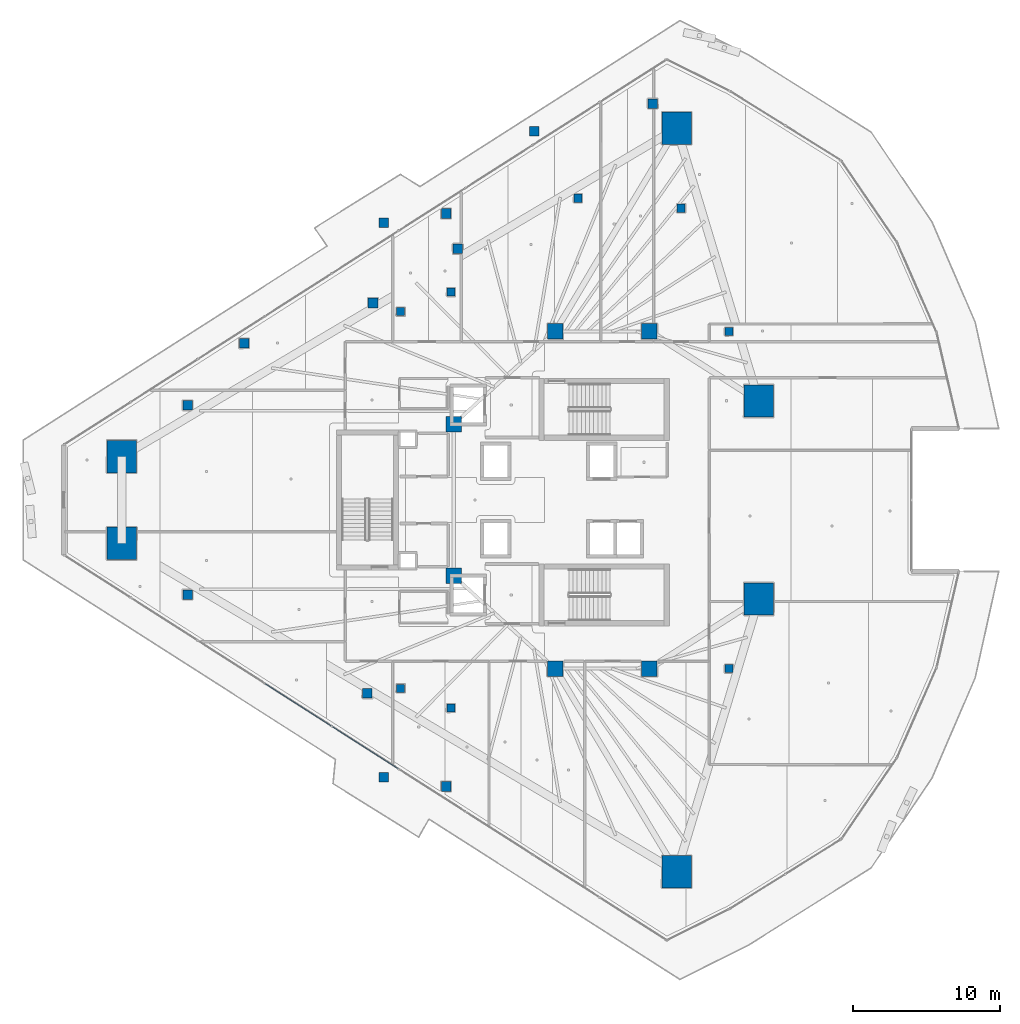
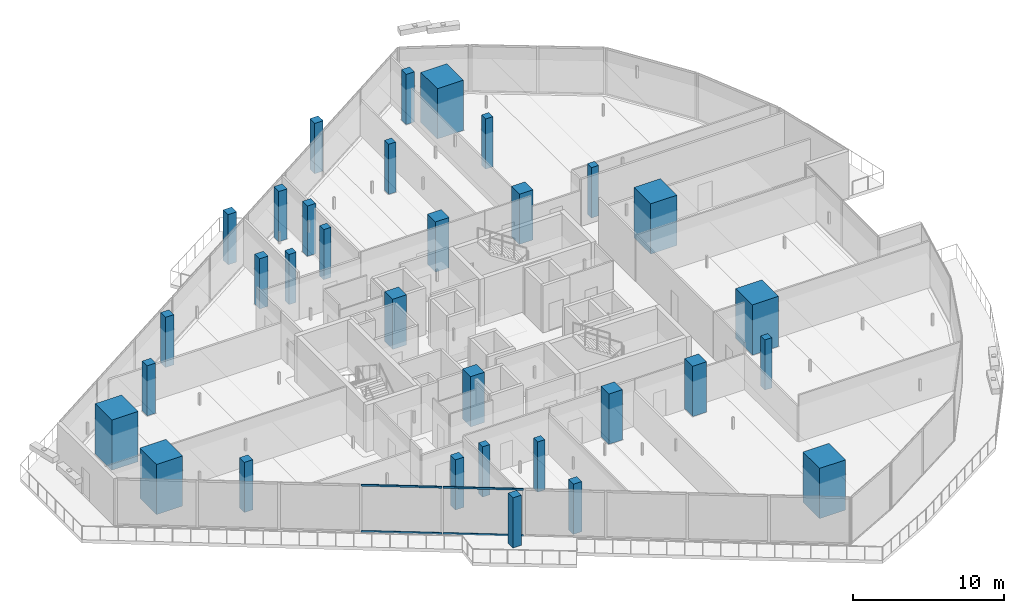
# One storey, part 1 of 39: 32 columns, 4 members, 1 element without a shape of its own.
"""IFC4 building model written with IfcOpenShell, lengths in metres."""

from ifc_helpers import new_model, si_unit, direction, frame, origin, origin_2d, place, context, subcontext, project, spatial, rectangle, hollow_rectangle, extrude, material, layer, layer_set, material_profile, profile_set, type_object, element, aggregate, save


model = new_model("IFC4")

# Units and contexts
model_context = context("Model", 3, precision=1e-05, world=origin(), true_north=direction((0.0, 1.0)))
body_context = subcontext(model_context, "Body", "Model", "MODEL_VIEW")
ifc_project = project(units=[si_unit("LENGTHUNIT", "METRE"), si_unit("AREAUNIT", "SQUARE_METRE"), si_unit("VOLUMEUNIT", "CUBIC_METRE"), si_unit("PLANEANGLEUNIT", "RADIAN"), si_unit("MASSUNIT", "GRAM", prefix="KILO")], contexts=[model_context])

# Site, building, storey
site_placement = place(None, origin())
site = spatial("IfcSite", under=ifc_project, at=site_placement, CompositionType="ELEMENT")
building_placement = place(site_placement, origin())
building = spatial("IfcBuilding", under=site, at=building_placement, Name="Qorvath Tower", CompositionType="ELEMENT")
storey_placement = place(building_placement, frame((0.0, 0.0, 142.199951171875)))
storey = spatial("IfcBuildingStorey", under=building, at=storey_placement, Name="L32", CompositionType="ELEMENT", Elevation=142.199951171875)

# Columns
ifc_material_1 = material(Name="Concrete C70/85", Category="concrete")
ifc_material_profile_1 = material_profile(ifc_material_1, rectangle(XDim=2.0, YDim=2.199951171875, at=origin_2d()), Name="MC 2200x2000")
ifc_profile_set_1 = profile_set([ifc_material_profile_1], Name="Concrete C70/85")
column_type_1 = type_object("IfcColumnType", Name="COL-MC2", PredefinedType="COLUMN", material=ifc_profile_set_1)
for number, where, z_axis, x_axis, name in (
    (1, (-53.04931640625, 2.95068359375, 0.0), (0.0, 0.0, 1.0), (1.0, 0.0, 0.0), "Composite Mega-Column MC1 L32"),
    (2, (-53.04931640625, -2.95068359375, 0.0), (0.0, 0.0, 1.0), (1.0, 0.0, 0.0), "Composite Mega-Column MC2 L32"),
    (3, (-15.34423828125, -25.24609375, 0.0), (0.0, 0.0, 1.0), (1.0, 0.0, 0.0), "Composite Mega-Column MC3 L32"),
    (4, (-9.770263671875, -6.721435546875, 0.0), (0.0, 0.0, 1.0), (1.0, 0.0, 0.0), "Composite Mega-Column MC4 L32"),
    (5, (-9.770263671875, 6.721435546875, 0.0), (0.0, 0.0, 1.0), (1.0, 0.0, 0.0), "Composite Mega-Column MC5 L32"),
    (6, (-15.34423828125, 25.24609375, 0.0), (0.0, 0.0, 1.0), (1.0, 0.0, 0.0), "Composite Mega-Column MC6 L32"),
):
    element("IfcColumn", number, at=place(storey_placement, frame(where, z_axis=z_axis, x_axis=x_axis)), inside=storey, type_object=column_type_1, Name=name, PredefinedType="COLUMN", context=body_context, shape_type="SweptSolid", body=[
        extrude(rectangle(XDim=2.0, YDim=2.199951171875, at=origin_2d()), origin(), (0.0, 0.0, 1.0), 4.050048828125),
    ])
ifc_material_2 = material(Name="Concrete C60/75", Category="concrete")
ifc_material_profile_2 = material_profile(ifc_material_2, rectangle(XDim=1.050048828125, YDim=1.050048828125, at=origin_2d()), Name="RC 1050x1050")
ifc_profile_set_2 = profile_set([ifc_material_profile_2], Name="Concrete C60/75")
column_type_2 = type_object("IfcColumnType", Name="COL-RC2", PredefinedType="COLUMN", material=ifc_profile_set_2)
for number, where, z_axis, x_axis, name in (
    (7, (-23.60009765625, 11.449951171875, 0.0), (0.0, 0.0, 1.0), (1.0, 0.0, 0.0), "Core Spine Column CC1 L32"),
    (8, (-17.199951171875, 11.449951171875, 0.0), (0.0, 0.0, 1.0), (1.0, 0.0, 0.0), "Core Spine Column CC2 L32"),
    (9, (-17.199951171875, -11.449951171875, 0.0), (0.0, 0.0, 1.0), (1.0, 0.0, 0.0), "Core Spine Column CC3 L32"),
    (10, (-23.60009765625, -11.449951171875, 0.0), (0.0, 0.0, 1.0), (1.0, 0.0, 0.0), "Core Spine Column CC4 L32"),
    (11, (-30.5, 5.14990234375, 0.0), (0.0, 0.0, 1.0), (1.0, 0.0, 0.0), "Core Spine Column CC5 L32"),
    (12, (-30.5, -5.14990234375, 0.0), (0.0, 0.0, 1.0), (1.0, 0.0, 0.0), "Core Spine Column CC6 L32"),
):
    element("IfcColumn", number, at=place(storey_placement, frame(where, z_axis=z_axis, x_axis=x_axis)), inside=storey, type_object=column_type_2, Name=name, PredefinedType="COLUMN", context=body_context, shape_type="SweptSolid", body=[
        extrude(rectangle(XDim=1.050048828125, YDim=1.050048828125, at=origin_2d()), origin(), (0.0, 0.0, 1.0), 4.050048828125),
    ])
ifc_material_3 = material(Name="Concrete C45/55", Category="concrete")
ifc_material_profile_3 = material_profile(ifc_material_3, rectangle(XDim=0.64990234375, YDim=0.64990234375, at=origin_2d()), Name="RC 650x650")
ifc_profile_set_3 = profile_set([ifc_material_profile_3], Name="Concrete C45/55")
column_type_3 = type_object("IfcColumnType", Name="COL-RC6", PredefinedType="COLUMN", material=ifc_profile_set_3)
for number, where, z_axis, x_axis, name in (
    (13, (-35.251708984375, 18.829345703125, 0.0), (0.0, 0.0, 1.0), (1.0, 0.0, 0.0), "Loggia Frame Pier Column LGC1 L32"),
    (14, (-35.251708984375, -18.829345703125, 0.0), (0.0, 0.0, 1.0), (1.0, 0.0, 0.0), "Loggia Frame Pier Column LGC2 L32"),
    (15, (-25.03759765625, 25.058837890625, 0.0), (0.0, 0.0, 1.0), (1.0, 0.0, 0.0), "Loggia Frame Pier Column LGC3 L32"),
    (16, (-31.01611328125, 19.46044921875, 0.0), (0.0, 0.0, 1.0), (1.0, 0.0, 0.0), "Loggia Frame Pier Column LGD1 L32"),
    (17, (-31.01611328125, -19.46044921875, 0.0), (0.0, 0.0, 1.0), (1.0, 0.0, 0.0), "Loggia Frame Pier Column LGD2 L32"),
    (18, (-44.736328125, 10.65234375, 0.0), (0.0, 0.0, 1.0), (1.0, 0.0, 0.0), "Loggia Frame Pier Column LGD3 L32"),
    (19, (-48.578369140625, 6.424560546875, 0.0), (0.0, 0.0, 1.0), (1.0, 0.0, 0.0), "Loggia Frame Pier Column LGE1 L32"),
    (20, (-48.578369140625, -6.424560546875, 0.0), (0.0, 0.0, 1.0), (1.0, 0.0, 0.0), "Loggia Frame Pier Column LGE2 L32"),
    (21, (-16.981201171875, 26.92919921875, 0.0), (0.0, 0.0, 1.0), (1.0, 0.0, 0.0), "Loggia Frame Pier Column LGE3 L32"),
    (22, (-35.980712890625, 13.380859375, 0.0), (0.0, 0.0, 1.0), (1.0, 0.0, 0.0), "Loggia Frame Pier Column LGF1 L32"),
    (23, (-36.36474609375, -13.135498046875, 0.0), (0.0, 0.0, 1.0), (1.0, 0.0, 0.0), "Loggia Frame Pier Column LGF2 L32"),
    (24, (-30.224853515625, 17.0595703125, 0.0), (0.0, 0.0, 1.0), (1.0, 0.0, 0.0), "Loggia Frame Pier Column LGF3 L32"),
):
    element("IfcColumn", number, at=place(storey_placement, frame(where, z_axis=z_axis, x_axis=x_axis)), inside=storey, type_object=column_type_3, Name=name, PredefinedType="COLUMN", context=body_context, shape_type="SweptSolid", body=[
        extrude(rectangle(XDim=0.64990234375, YDim=0.64990234375, at=origin_2d()), origin(), (0.0, 0.0, 1.0), 4.050048828125),
    ])
ifc_material_4 = material(Name="Concrete C45/55", Category="concrete")
ifc_material_profile_4 = material_profile(ifc_material_4, rectangle(XDim=0.550048828125, YDim=0.550048828125, at=origin_2d()), Name="RC 550x550")
ifc_profile_set_4 = profile_set([ifc_material_profile_4], Name="Concrete C45/55")
column_type_4 = type_object("IfcColumnType", Name="COL-RC7", PredefinedType="COLUMN", material=ifc_profile_set_4)
for number, where, z_axis, x_axis, name in (
    (25, (-34.104248046875, 12.79248046875, 0.0), (0.0, 0.0, 1.0), (1.0, 0.0, 0.0), "Loggia Frame Pier Column LGG1 L32"),
    (26, (-34.104248046875, -12.79248046875, 0.0), (0.0, 0.0, 1.0), (1.0, 0.0, 0.0), "Loggia Frame Pier Column LGG2 L32"),
    (27, (-22.05322265625, 20.494873046875, 0.0), (0.0, 0.0, 1.0), (1.0, 0.0, 0.0), "Loggia Frame Pier Column LGG3 L32"),
    (28, (-30.67724609375, 14.124267578125, 0.0), (0.0, 0.0, 1.0), (1.0, 0.0, 0.0), "Loggia Frame Pier Column LGH1 L32"),
    (29, (-30.67724609375, -14.124267578125, 0.0), (0.0, 0.0, 1.0), (1.0, 0.0, 0.0), "Loggia Frame Pier Column LGH2 L32"),
    (30, (-15.046142578125, 19.818115234375, 0.0), (0.0, 0.0, 1.0), (1.0, 0.0, 0.0), "Loggia Frame Pier Column LGH3 L32"),
    (31, (-11.800048828125, -11.449951171875, 0.0), (0.0, 0.0, 1.0), (1.0, 0.0, 0.0), "Central Slot Jamb Column SC1 L32"),
    (32, (-11.800048828125, 11.449951171875, 0.0), (0.0, 0.0, 1.0), (1.0, 0.0, 0.0), "Central Slot Jamb Column SC2 L32"),
):
    element("IfcColumn", number, at=place(storey_placement, frame(where, z_axis=z_axis, x_axis=x_axis)), inside=storey, type_object=column_type_4, Name=name, PredefinedType="COLUMN", context=body_context, shape_type="SweptSolid", body=[
        extrude(rectangle(XDim=0.550048828125, YDim=0.550048828125, at=origin_2d()), origin(), (0.0, 0.0, 1.0), 4.050048828125),
    ])

# Curtain wall, members
ifc_material_5 = material(Name="Anodised aluminium and triple low-E glass", Category="aluminium")
ifc_layer = layer(ifc_material_5, 0.179931640625)
ifc_layer_set = layer_set([ifc_layer], Name="CW-SYS-3")
curtain_wall_type = type_object("IfcCurtainWallType", Name="CW-SYS-3", PredefinedType="NOTDEFINED", material=ifc_layer_set)
curtain_wall_placement = place(storey_placement, origin())
curtain_wall = element("IfcCurtainWall", 33, at=curtain_wall_placement, inside=storey, type_object=curtain_wall_type, Name="Curtain Wall CW-3 CW-T-L32-2.1", PredefinedType="NOTDEFINED")
ifc_material_6 = material(Name="Anodised aluminium 6063-T6", Category="aluminium")
ifc_material_profile_5 = material_profile(ifc_material_6, hollow_rectangle(XDim=0.06494140625, YDim=0.159912109375, WallThickness=0.00341796875, InnerFilletRadius=0.00341796875, OuterFilletRadius=0.007080078125, at=origin_2d()), Name="CWT 160x65")
ifc_profile_set_5 = profile_set([ifc_material_profile_5], Name="Anodised aluminium 6063-T6")
member_type = type_object("IfcMemberType", Name="CWT-160", PredefinedType="USERDEFINED", material=ifc_profile_set_5)
member_1_placement = place(storey_placement, frame((-43.30517578125, -12.482666015625, 0.032470703125), z_axis=(0.84259533126, -0.5385472196, 0.0), x_axis=(0.5385472196, 0.84259533126, 0.0)))
member_1 = element("IfcMember", 34, at=member_1_placement, type_object=member_type, Name="CW-3 transom 4.1", ObjectType="TRANSOM", PredefinedType="USERDEFINED", context=body_context, shape_type="SweptSolid", body=[
    extrude(hollow_rectangle(XDim=0.06494140625, YDim=0.159912109375, WallThickness=0.00341796875, InnerFilletRadius=0.00341796875, OuterFilletRadius=0.007080078125, at=origin_2d()), origin(), (0.0, 0.0, 1.0), 5.335693359375),
])
member_2_placement = place(storey_placement, frame((-43.30517578125, -12.482666015625, 3.74755859375), z_axis=(0.84259533126, -0.5385472196, 0.0), x_axis=(0.5385472196, 0.84259533126, 0.0)))
member_2 = element("IfcMember", 35, at=member_2_placement, type_object=member_type, Name="CW-3 transom 4.2", ObjectType="TRANSOM", PredefinedType="USERDEFINED", context=body_context, shape_type="SweptSolid", body=[
    extrude(hollow_rectangle(XDim=0.06494140625, YDim=0.159912109375, WallThickness=0.00341796875, InnerFilletRadius=0.00341796875, OuterFilletRadius=0.007080078125, at=origin_2d()), origin(), (0.0, 0.0, 1.0), 5.335693359375),
])
member_3_placement = place(storey_placement, frame((-38.75439453125, -15.39111328125, 0.032470703125), z_axis=(0.842574568143, -0.53857970359, 0.0), x_axis=(0.53857970359, 0.842574568143, 0.0)))
member_3 = element("IfcMember", 36, at=member_3_placement, type_object=member_type, Name="CW-3 transom 5.1", ObjectType="TRANSOM", PredefinedType="USERDEFINED", context=body_context, shape_type="SweptSolid", body=[
    extrude(hollow_rectangle(XDim=0.06494140625, YDim=0.159912109375, WallThickness=0.00341796875, InnerFilletRadius=0.00341796875, OuterFilletRadius=0.007080078125, at=origin_2d()), origin(), (0.0, 0.0, 1.0), 5.3359375),
])
member_4_placement = place(storey_placement, frame((-38.75439453125, -15.39111328125, 3.74755859375), z_axis=(0.842574568143, -0.53857970359, 0.0), x_axis=(0.53857970359, 0.842574568143, 0.0)))
member_4 = element("IfcMember", 37, at=member_4_placement, type_object=member_type, Name="CW-3 transom 5.2", ObjectType="TRANSOM", PredefinedType="USERDEFINED", context=body_context, shape_type="SweptSolid", body=[
    extrude(hollow_rectangle(XDim=0.06494140625, YDim=0.159912109375, WallThickness=0.00341796875, InnerFilletRadius=0.00341796875, OuterFilletRadius=0.007080078125, at=origin_2d()), origin(), (0.0, 0.0, 1.0), 5.3359375),
])
aggregate(curtain_wall, [member_1, member_2, member_3, member_4])

save(model, "model.ifc")
